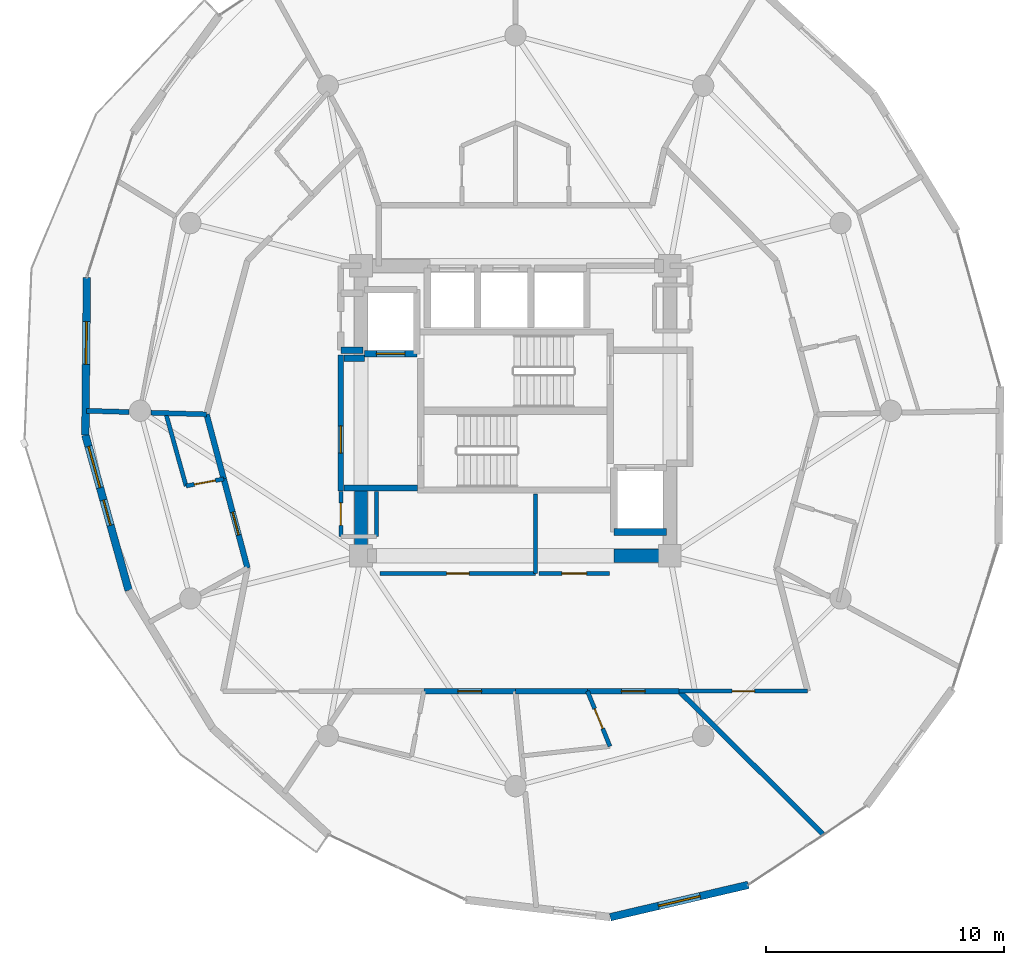
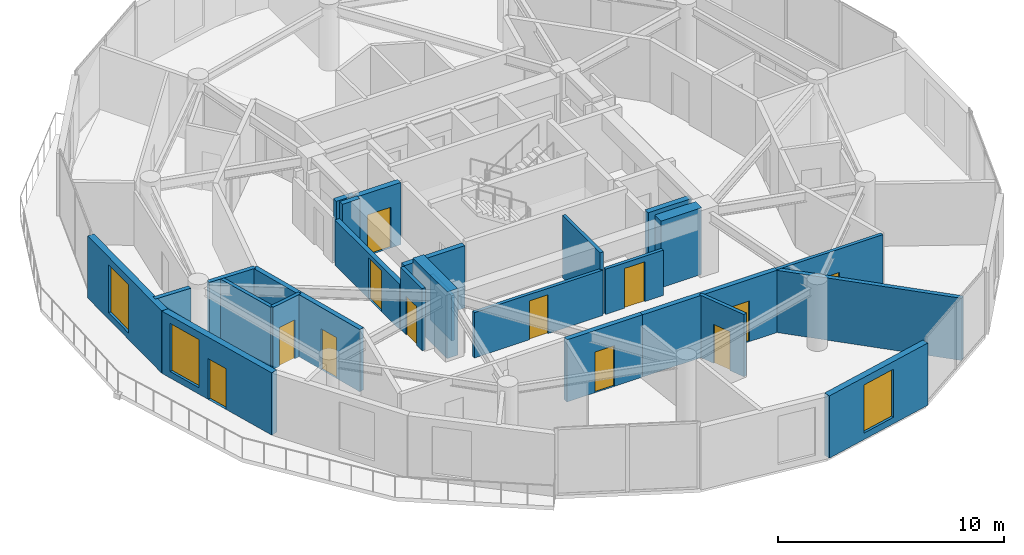
# One storey, part 15 of 20: 28 walls, 12 doors, 3 windows, 15 openings.
"""IFC4 building model written with IfcOpenShell, lengths in metres."""

from ifc_helpers import new_model, si_unit, direction, frame, frame_2d, origin, place, context, subcontext, project, spatial, rectangle, extrude, material, layer, layer_set, type_object, element, fill, save


model = new_model("IFC4")

# Units and contexts
model_context = context("Model", 3, precision=1e-05, world=origin(), true_north=direction((0.0, 1.0)))
body_context = subcontext(model_context, "Body", "Model", "MODEL_VIEW")
ifc_project = project(units=[si_unit("LENGTHUNIT", "METRE"), si_unit("AREAUNIT", "SQUARE_METRE"), si_unit("VOLUMEUNIT", "CUBIC_METRE"), si_unit("PLANEANGLEUNIT", "RADIAN"), si_unit("MASSUNIT", "GRAM", prefix="KILO")], contexts=[model_context])

# Site, building, storey
site_placement = place(None, origin())
site = spatial("IfcSite", under=ifc_project, at=site_placement, CompositionType="ELEMENT")
building_placement = place(site_placement, origin())
building = spatial("IfcBuilding", under=site, at=building_placement, Name="Solvirekh Grand Hotel", CompositionType="ELEMENT")
storey_placement = place(building_placement, frame((0.0, 0.0, 209.199951171875)))
storey = spatial("IfcBuildingStorey", under=building, at=storey_placement, Name="L54", CompositionType="ELEMENT", Elevation=209.199951171875)

# Wall, opening, door
ifc_material_1 = material(Name="Concrete C40/50", Category="concrete")
ifc_layer_1 = layer(ifc_material_1, 0.280029296875)
ifc_layer_set_1 = layer_set([ifc_layer_1], Name="Concrete C40/50")
wall_type_1 = type_object("IfcWallType", Name="CoreShaftWall_RC280", PredefinedType="SOLIDWALL", material=ifc_layer_set_1)
wall_1_placement = place(storey_placement, frame((-6.35009765625, 2.39990234375, 0.0), z_axis=(0.0, 0.0, 1.0), x_axis=(1.0, 0.0, 0.0)))
wall_1 = element("IfcWall", 1, at=wall_1_placement, inside=storey, type_object=wall_type_1, Name="L54 FL-1 hoistway S wall", PredefinedType="SOLIDWALL", context=body_context, shape_type="SweptSolid", body=[
    extrude(rectangle(XDim=2.2001953125, YDim=0.280029296875, at=frame_2d((1.10009765625, 0.0))), origin(), (0.0, 0.0, 1.0), 3.360107421875),
])
opening_1_placement = place(wall_1_placement, frame((0.5, 0.0, 0.0)))
opening_1 = element("IfcOpeningElement", 2, at=opening_1_placement, cuts=wall_1, Name="Opening LD02", PredefinedType="OPENING", context=body_context, shape_type="SweptSolid", body=[
    extrude(rectangle(XDim=1.199951171875, YDim=2.199951171875, at=frame_2d((0.60009765625, 1.10009765625))), frame((0.0, 0.14990234375, 0.0), z_axis=(0.0, -1.0, 0.0), x_axis=(1.0, 0.0, 0.0)), (0.0, 0.0, 1.0), 0.300048828125),
])
ifc_material_2 = material(Name="Fire-Rated Steel Door Assembly", Category="steel")
door_type_1 = type_object("IfcDoorType", Name="Door_LiftFF_1200X2200", OperationType="SLIDING_TO_LEFT", PredefinedType="DOOR", material=ifc_material_2)
door_1_placement = place(opening_1_placement, origin())
door_1 = element("IfcDoor", 3, at=door_1_placement, inside=storey, type_object=door_type_1, Name="L54 FL-1 sliding lift landing door", OperationType="SLIDING_TO_LEFT", OverallHeight=2.199951171875, OverallWidth=1.199951171875, PredefinedType="DOOR", context=body_context, shape_type="SweptSolid", body=[
    extrude(rectangle(XDim=1.199951171875, YDim=2.199951171875, at=frame_2d((0.60009765625, 1.10009765625))), frame((0.0, 0.02490234375, 0.0), z_axis=(0.0, -1.0, 0.0), x_axis=(1.0, 0.0, 0.0)), (0.0, 0.0, 1.0), 0.050048828125),
])
fill(opening_1, door_1)

# Walls
wall_2_placement = place(storey_placement, frame((4.14990234375, -5.10009765625, 0.0), z_axis=(0.0, 0.0, 1.0), x_axis=(1.0, 0.0, 0.0)))
element("IfcWall", 4, at=wall_2_placement, inside=storey, type_object=wall_type_1, Name="L54 FL-2 hoistway S wall", PredefinedType="SOLIDWALL", context=body_context, shape_type="SweptSolid", body=[
    extrude(rectangle(XDim=2.2001953125, YDim=0.280029296875, at=frame_2d((1.10009765625, 0.0))), origin(), (0.0, 0.0, 1.0), 3.360107421875),
])
ifc_material_3 = material(Name="Concrete C50/60", Category="concrete")
ifc_layer_2 = layer(ifc_material_3, 0.550048828125)
ifc_layer_set_2 = layer_set([ifc_layer_2], Name="Concrete C50/60")
wall_type_2 = type_object("IfcWallType", Name="CoreWall_RC550", PredefinedType="SHEAR", material=ifc_layer_set_2)
wall_3_placement = place(storey_placement, frame((4.14990234375, -6.10009765625, 0.0), z_axis=(0.0, 0.0, 1.0), x_axis=(1.0, 0.0, 0.0)))
element("IfcWall", 5, at=wall_3_placement, inside=storey, type_object=wall_type_2, Name="L54 core corner shear wall SE-S", PredefinedType="SHEAR", context=body_context, shape_type="SweptSolid", body=[
    extrude(rectangle(XDim=2.0751953125, YDim=0.550048828125, at=frame_2d((1.03759765625, 0.0))), origin(), (0.0, 0.0, 1.0), 3.60009765625),
])
wall_4_placement = place(storey_placement, frame((-6.5, -6.375, 0.0), z_axis=(0.0, 0.0, 1.0), x_axis=(0.0, 1.0, 0.0)))
element("IfcWall", 6, at=wall_4_placement, inside=storey, type_object=wall_type_2, Name="L54 core corner shear wall WS-W", PredefinedType="SHEAR", context=body_context, shape_type="SweptSolid", body=[
    extrude(rectangle(XDim=3.02490234375, YDim=0.550048828125, at=frame_2d((1.512451171875, 0.0))), origin(), (0.0, 0.0, 1.0), 3.60009765625),
])

# Wall, opening, window
ifc_material_4 = material(Name="Precast concrete C45/55", Category="concrete")
ifc_layer_3 = layer(ifc_material_4, 0.320068359375)
ifc_layer_set_3 = layer_set([ifc_layer_3], Name="Precast concrete C45/55")
wall_type_3 = type_object("IfcWallType", Name="ExtLobbyWall_RC320", PredefinedType="SOLIDWALL", material=ifc_layer_set_3)
wall_5_placement = place(storey_placement, frame((-18.10205078125, -1.02197265625, 0.0), z_axis=(0.0, 0.0, 1.0), x_axis=(0.009637220267, 0.999953560914, 0.0)))
wall_5 = element("IfcWall", 7, at=wall_5_placement, inside=storey, type_object=wall_type_3, Name="L54 exterior structural wall chord 14", PredefinedType="SOLIDWALL", context=body_context, shape_type="SweptSolid", body=[
    extrude(rectangle(XDim=6.63720703125, YDim=0.320068359375, at=frame_2d((3.318603515625, 0.0))), origin(), (0.0, 0.0, 1.0), 3.360107421875),
])
opening_2_placement = place(wall_5_placement, frame((2.97998046875, 0.0, 0.35009765625)))
opening_2 = element("IfcOpeningElement", 8, at=opening_2_placement, cuts=wall_5, Name="Opening W02", PredefinedType="OPENING", context=body_context, shape_type="SweptSolid", body=[
    extrude(rectangle(XDim=1.800048828125, YDim=2.60009765625, at=frame_2d((0.89990234375, 1.300048828125))), frame((0.0, 0.169921875, 0.0), z_axis=(0.0, -1.0, 0.0), x_axis=(1.0, 0.0, 0.0)), (0.0, 0.0, 1.0), 0.340087890625),
])
ifc_material_5 = material(Name="Low-E Tinted Bronze Laminated Glass", Category="aluminium")
window_type = type_object("IfcWindowType", Name="Win_LobbyExt_1800X2600", PartitioningType="SINGLE_PANEL", PredefinedType="WINDOW", material=ifc_material_5)
window_1_placement = place(opening_2_placement, origin())
window_1 = element("IfcWindow", 9, at=window_1_placement, inside=storey, type_object=window_type, Name="L54 panoramic bronze-framed window 14", OverallHeight=2.60009765625, OverallWidth=1.800048828125, PartitioningType="SINGLE_PANEL", PredefinedType="WINDOW", context=body_context, shape_type="SweptSolid", body=[
    extrude(rectangle(XDim=1.800048828125, YDim=2.60009765625, at=frame_2d((0.89990234375, 1.300048828125))), frame((0.0, 0.030029296875, 0.0), z_axis=(0.0, -1.0, 0.0), x_axis=(1.0, 0.0, 0.0)), (0.0, 0.0, 1.0), 0.06005859375),
])
fill(opening_2, window_1)

# Wall, openings, door, window
wall_6_placement = place(storey_placement, frame((-16.281982421875, -7.55810546875, 0.0), z_axis=(0.0, 0.0, 1.0), x_axis=(-0.268256249254, 0.963347592895, 0.0)))
wall_6 = element("IfcWall", 10, at=wall_6_placement, inside=storey, type_object=wall_type_3, Name="L54 exterior structural wall chord 15", PredefinedType="SOLIDWALL", context=body_context, shape_type="SweptSolid", body=[
    extrude(rectangle(XDim=6.784912109375, YDim=0.320068359375, at=frame_2d((3.392578125, 0.0))), origin(), (0.0, 0.0, 1.0), 3.360107421875),
])
opening_3_placement = place(wall_6_placement, frame((4.488037109375, 0.0, 0.35009765625)))
opening_3 = element("IfcOpeningElement", 11, at=opening_3_placement, cuts=wall_6, Name="Opening W02", PredefinedType="OPENING", context=body_context, shape_type="SweptSolid", body=[
    extrude(rectangle(XDim=1.800048828125, YDim=2.60009765625, at=frame_2d((0.89990234375, 1.300048828125))), frame((0.0, 0.169921875, 0.0), z_axis=(0.0, -1.0, 0.0), x_axis=(1.0, 0.0, 0.0)), (0.0, 0.0, 1.0), 0.340087890625),
])
opening_4_placement = place(wall_6_placement, frame((2.842041015625, 0.0, 0.0)))
opening_4 = element("IfcOpeningElement", 12, at=opening_4_placement, cuts=wall_6, Name="Opening D03", PredefinedType="OPENING", context=body_context, shape_type="SweptSolid", body=[
    extrude(rectangle(XDim=1.10009765625, YDim=2.199951171875, at=frame_2d((0.550048828125, 1.10009765625))), frame((0.0, 0.169921875, 0.0), z_axis=(0.0, -1.0, 0.0), x_axis=(1.0, 0.0, 0.0)), (0.0, 0.0, 1.0), 0.340087890625),
])
ifc_material_6 = material(Name="Anodized Bronze Aluminium 6063-T6", Category="aluminium")
door_type_2 = type_object("IfcDoorType", Name="Door_ExtBalcony_1100X2200", OperationType="NOTDEFINED", PredefinedType="DOOR", material=ifc_material_6)
door_2_placement = place(opening_4_placement, origin())
door_2 = element("IfcDoor", 13, at=door_2_placement, inside=storey, type_object=door_type_2, Name="L54 Crescent balcony glazed door (15)", OperationType="SINGLE_SWING_RIGHT", OverallHeight=2.199951171875, OverallWidth=1.10009765625, PredefinedType="DOOR", context=body_context, shape_type="SweptSolid", body=[
    extrude(rectangle(XDim=1.10009765625, YDim=2.199951171875, at=frame_2d((0.550048828125, 1.10009765625))), frame((0.0, 0.02490234375, 0.0), z_axis=(0.0, -1.0, 0.0), x_axis=(1.0, 0.0, 0.0)), (0.0, 0.0, 1.0), 0.050048828125),
])
fill(opening_4, door_2)
window_2_placement = place(opening_3_placement, origin())
window_2 = element("IfcWindow", 14, at=window_2_placement, inside=storey, type_object=window_type, Name="L54 exterior side window 15", OverallHeight=2.60009765625, OverallWidth=1.800048828125, PartitioningType="SINGLE_PANEL", PredefinedType="WINDOW", context=body_context, shape_type="SweptSolid", body=[
    extrude(rectangle(XDim=1.800048828125, YDim=2.60009765625, at=frame_2d((0.89990234375, 1.300048828125))), frame((0.0, 0.030029296875, 0.0), z_axis=(0.0, -1.0, 0.0), x_axis=(1.0, 0.0, 0.0)), (0.0, 0.0, 1.0), 0.06005859375),
])
fill(opening_3, window_2)

# Wall, opening, window
wall_7_placement = place(storey_placement, frame((9.802001953125, -19.955078125, 0.0), z_axis=(0.0, 0.0, 1.0), x_axis=(-0.97372216523, -0.227739203785, 0.0)))
wall_7 = element("IfcWall", 15, at=wall_7_placement, inside=storey, type_object=wall_type_3, Name="L54 exterior structural wall chord 20", PredefinedType="SOLIDWALL", context=body_context, shape_type="SweptSolid", body=[
    extrude(rectangle(XDim=5.966796875, YDim=0.320068359375, at=frame_2d((2.9833984375, 0.0))), origin(), (0.0, 0.0, 1.0), 3.360107421875),
])
opening_5_placement = place(wall_7_placement, frame((2.0830078125, 0.0, 0.35009765625)))
opening_5 = element("IfcOpeningElement", 16, at=opening_5_placement, cuts=wall_7, Name="Opening W02", PredefinedType="OPENING", context=body_context, shape_type="SweptSolid", body=[
    extrude(rectangle(XDim=1.800048828125, YDim=2.60009765625, at=frame_2d((0.89990234375, 1.300048828125))), frame((0.0, 0.169921875, 0.0), z_axis=(0.0, -1.0, 0.0), x_axis=(1.0, 0.0, 0.0)), (0.0, 0.0, 1.0), 0.340087890625),
])
window_3_placement = place(opening_5_placement, origin())
window_3 = element("IfcWindow", 17, at=window_3_placement, inside=storey, type_object=window_type, Name="L54 panoramic bronze-framed window 20", OverallHeight=2.60009765625, OverallWidth=1.800048828125, PartitioningType="SINGLE_PANEL", PredefinedType="WINDOW", context=body_context, shape_type="SweptSolid", body=[
    extrude(rectangle(XDim=1.800048828125, YDim=2.60009765625, at=frame_2d((0.89990234375, 1.300048828125))), frame((0.0, 0.030029296875, 0.0), z_axis=(0.0, -1.0, 0.0), x_axis=(1.0, 0.0, 0.0)), (0.0, 0.0, 1.0), 0.06005859375),
])
fill(opening_5, window_3)

# Wall
ifc_material_7 = material(Name="Acoustic Gypsum Partition Assembly")
ifc_layer_4 = layer(ifc_material_7, 0.1650390625)
ifc_layer_set_4 = layer_set([ifc_layer_4], Name="Acoustic Gypsum Partition Assembly")
wall_type_4 = type_object("IfcWallType", Name="Part_BOH_165", PredefinedType="PARTITIONING", material=ifc_layer_set_4)
wall_8_placement = place(storey_placement, frame((-5.85009765625, -5.300048828125, 0.0), z_axis=(0.0, 0.0, 1.0), x_axis=(0.0, 1.0, 0.0)))
element("IfcWall", 18, at=wall_8_placement, inside=storey, type_object=wall_type_4, Name="L54 L54 Butler Service Closet wall 2", PredefinedType="PARTITIONING", context=body_context, shape_type="SweptSolid", body=[
    extrude(rectangle(XDim=1.900146484375, YDim=0.1650390625, at=frame_2d((0.9501953125, 0.0))), origin(), (0.0, 0.0, 1.0), 2.445068359375),
])

# Wall, opening, door
wall_9_placement = place(storey_placement, frame((-7.35009765625, -3.39990234375, 0.0), z_axis=(0.0, 0.0, 1.0), x_axis=(0.0, -1.0, 0.0)))
wall_9 = element("IfcWall", 19, at=wall_9_placement, inside=storey, type_object=wall_type_4, Name="L54 L54 Butler Service Closet wall 4", PredefinedType="PARTITIONING", context=body_context, shape_type="SweptSolid", body=[
    extrude(rectangle(XDim=1.900146484375, YDim=0.1650390625, at=frame_2d((0.9501953125, 0.0))), origin(), (0.0, 0.0, 1.0), 3.360107421875),
])
opening_6_placement = place(wall_9_placement, frame((0.47509765625, 0.0, 0.0)))
opening_6 = element("IfcOpeningElement", 20, at=opening_6_placement, cuts=wall_9, Name="Opening D10", PredefinedType="OPENING", context=body_context, shape_type="SweptSolid", body=[
    extrude(rectangle(XDim=0.949951171875, YDim=2.10009765625, at=frame_2d((0.47509765625, 1.050048828125))), frame((0.0, 0.092529296875, 0.0), z_axis=(0.0, -1.0, 0.0), x_axis=(1.0, 0.0, 0.0)), (0.0, 0.0, 1.0), 0.18505859375),
])
door_type_3 = type_object("IfcDoorType", Name="Door_RoomInt_950X2100", OperationType="NOTDEFINED", PredefinedType="DOOR", material=ifc_material_6)
door_3_placement = place(opening_6_placement, origin())
door_3 = element("IfcDoor", 21, at=door_3_placement, inside=storey, type_object=door_type_3, Name="L54 L54 Butler Service Closet door", OperationType="SINGLE_SWING_RIGHT", OverallHeight=2.10009765625, OverallWidth=0.949951171875, PredefinedType="DOOR", context=body_context, shape_type="SweptSolid", body=[
    extrude(rectangle(XDim=0.949951171875, YDim=2.10009765625, at=frame_2d((0.47509765625, 1.050048828125))), frame((0.0, 0.02490234375, 0.0), z_axis=(0.0, -1.0, 0.0), x_axis=(1.0, 0.0, 0.0)), (0.0, 0.0, 1.0), 0.050048828125),
])
fill(opening_6, door_3)

wall_10_placement = place(storey_placement, frame((-5.699951171875, -6.85009765625, 0.0), z_axis=(0.0, 0.0, 1.0), x_axis=(1.0, 0.0, 0.0)))
wall_10 = element("IfcWall", 22, at=wall_10_placement, inside=storey, type_object=wall_type_4, Name="L54 Housekeeping Linen Room wall 1", PredefinedType="PARTITIONING", context=body_context, shape_type="SweptSolid", body=[
    extrude(rectangle(XDim=6.550048828125, YDim=0.1650390625, at=frame_2d((3.27490234375, 0.0))), origin(), (0.0, 0.0, 1.0), 2.445068359375),
])
opening_7_placement = place(wall_10_placement, frame((2.800048828125, 0.0, 0.0)))
opening_7 = element("IfcOpeningElement", 23, at=opening_7_placement, cuts=wall_10, Name="Opening D10", PredefinedType="OPENING", context=body_context, shape_type="SweptSolid", body=[
    extrude(rectangle(XDim=0.949951171875, YDim=2.10009765625, at=frame_2d((0.47509765625, 1.050048828125))), frame((0.0, 0.092529296875, 0.0), z_axis=(0.0, -1.0, 0.0), x_axis=(1.0, 0.0, 0.0)), (0.0, 0.0, 1.0), 0.18505859375),
])
door_4_placement = place(opening_7_placement, origin())
door_4 = element("IfcDoor", 24, at=door_4_placement, inside=storey, type_object=door_type_3, Name="L54 Housekeeping Linen Room door", OperationType="SINGLE_SWING_RIGHT", OverallHeight=2.10009765625, OverallWidth=0.949951171875, PredefinedType="DOOR", context=body_context, shape_type="SweptSolid", body=[
    extrude(rectangle(XDim=0.949951171875, YDim=2.10009765625, at=frame_2d((0.47509765625, 1.050048828125))), frame((0.0, 0.02490234375, 0.0), z_axis=(0.0, -1.0, 0.0), x_axis=(1.0, 0.0, 0.0)), (0.0, 0.0, 1.0), 0.050048828125),
])
fill(opening_7, door_4)

# Wall
wall_11_placement = place(storey_placement, frame((0.85009765625, -6.85009765625, 0.0), z_axis=(0.0, 0.0, 1.0), x_axis=(0.0, 1.0, 0.0)))
element("IfcWall", 25, at=wall_11_placement, inside=storey, type_object=wall_type_4, Name="L54 Housekeeping Linen Room wall 2", PredefinedType="PARTITIONING", context=body_context, shape_type="SweptSolid", body=[
    extrude(rectangle(XDim=3.35009765625, YDim=0.1650390625, at=frame_2d((1.675048828125, 0.0))), origin(), (0.0, 0.0, 1.0), 3.360107421875),
])

# Wall, opening, door
wall_12_placement = place(storey_placement, frame((1.0, -6.85009765625, 0.0), z_axis=(0.0, 0.0, 1.0), x_axis=(1.0, 0.0, 0.0)))
wall_12 = element("IfcWall", 26, at=wall_12_placement, inside=storey, type_object=wall_type_4, Name="L54 Chilled Water Manifold Room wall 1", PredefinedType="PARTITIONING", context=body_context, shape_type="SweptSolid", body=[
    extrude(rectangle(XDim=2.949951171875, YDim=0.1650390625, at=frame_2d((1.47509765625, 0.0))), origin(), (0.0, 0.0, 1.0), 2.445068359375),
])
opening_8_placement = place(wall_12_placement, frame((0.949951171875, 0.0, 0.0)))
opening_8 = element("IfcOpeningElement", 27, at=opening_8_placement, cuts=wall_12, Name="Opening D12", PredefinedType="OPENING", context=body_context, shape_type="SweptSolid", body=[
    extrude(rectangle(XDim=1.050048828125, YDim=2.14990234375, at=frame_2d((0.52490234375, 1.074951171875))), frame((0.0, 0.092529296875, 0.0), z_axis=(0.0, -1.0, 0.0), x_axis=(1.0, 0.0, 0.0)), (0.0, 0.0, 1.0), 0.18505859375),
])
door_type_4 = type_object("IfcDoorType", Name="Door_PlantBOH_1050X2150", OperationType="NOTDEFINED", PredefinedType="DOOR", material=ifc_material_2)
door_5_placement = place(opening_8_placement, origin())
door_5 = element("IfcDoor", 28, at=door_5_placement, inside=storey, type_object=door_type_4, Name="L54 Chilled Water Manifold Room door", OperationType="SINGLE_SWING_LEFT", OverallHeight=2.14990234375, OverallWidth=1.050048828125, PredefinedType="DOOR", context=body_context, shape_type="SweptSolid", body=[
    extrude(rectangle(XDim=1.050048828125, YDim=2.14990234375, at=frame_2d((0.52490234375, 1.074951171875))), frame((0.0, 0.02490234375, 0.0), z_axis=(0.0, -1.0, 0.0), x_axis=(1.0, 0.0, 0.0)), (0.0, 0.0, 1.0), 0.050048828125),
])
fill(opening_8, door_5)

wall_13_placement = place(storey_placement, frame((6.887939453125, -11.800048828125, 0.0), z_axis=(0.0, 0.0, 1.0), x_axis=(1.0, 0.0, 0.0)))
wall_13 = element("IfcWall", 29, at=wall_13_placement, inside=storey, type_object=wall_type_4, Name="L54 L54 Butler Valet & Linen Steward Room entrance wall", PredefinedType="PARTITIONING", context=body_context, shape_type="SweptSolid", body=[
    extrude(rectangle(XDim=5.412109375, YDim=0.1650390625, at=frame_2d((2.7060546875, 0.0))), origin(), (0.0, 0.0, 1.0), 3.360107421875),
])
opening_9_placement = place(wall_13_placement, frame((2.23095703125, 0.0, 0.0)))
opening_9 = element("IfcOpeningElement", 30, at=opening_9_placement, cuts=wall_13, Name="Opening D10", PredefinedType="OPENING", context=body_context, shape_type="SweptSolid", body=[
    extrude(rectangle(XDim=0.949951171875, YDim=2.10009765625, at=frame_2d((0.47509765625, 1.050048828125))), frame((0.0, 0.092529296875, 0.0), z_axis=(0.0, -1.0, 0.0), x_axis=(1.0, 0.0, 0.0)), (0.0, 0.0, 1.0), 0.18505859375),
])
door_6_placement = place(opening_9_placement, origin())
door_6 = element("IfcDoor", 31, at=door_6_placement, inside=storey, type_object=door_type_3, Name="L54 L54 Butler Valet & Linen Steward Room entrance door", OperationType="SINGLE_SWING_LEFT", OverallHeight=2.10009765625, OverallWidth=0.949951171875, PredefinedType="DOOR", context=body_context, shape_type="SweptSolid", body=[
    extrude(rectangle(XDim=0.949951171875, YDim=2.10009765625, at=frame_2d((0.47509765625, 1.050048828125))), frame((0.0, 0.02490234375, 0.0), z_axis=(0.0, -1.0, 0.0), x_axis=(1.0, 0.0, 0.0)), (0.0, 0.0, 1.0), 0.050048828125),
])
fill(opening_9, door_6)

ifc_layer_5 = layer(ifc_material_7, 0.239990234375)
ifc_layer_set_5 = layer_set([ifc_layer_5], Name="Acoustic Gypsum Partition Assembly")
wall_type_5 = type_object("IfcWallType", Name="Part_Corridor_240", PredefinedType="PARTITIONING", material=ifc_layer_set_5)
wall_14_placement = place(storey_placement, frame((-7.35009765625, -3.3798828125, 0.0), z_axis=(0.0, 0.0, 1.0), x_axis=(0.0, 1.0, 0.0)))
wall_14 = element("IfcWall", 32, at=wall_14_placement, inside=storey, type_object=wall_type_5, Name="L54 west firefighting lobby smoke screen wall", PredefinedType="PARTITIONING", context=body_context, shape_type="SweptSolid", body=[
    extrude(rectangle(XDim=5.719970703125, YDim=0.239990234375, at=frame_2d((2.85986328125, 0.0))), origin(), (0.0, 0.0, 1.0), 2.445068359375),
])
opening_10_placement = place(wall_14_placement, frame((1.59912109375, 0.0, 0.0)))
opening_10 = element("IfcOpeningElement", 33, at=opening_10_placement, cuts=wall_14, Name="Opening D06", PredefinedType="OPENING", context=body_context, shape_type="SweptSolid", body=[
    extrude(rectangle(XDim=1.14990234375, YDim=2.199951171875, at=frame_2d((0.574951171875, 1.10009765625))), frame((0.0, 0.1298828125, 0.0), z_axis=(0.0, -1.0, 0.0), x_axis=(1.0, 0.0, 0.0)), (0.0, 0.0, 1.0), 0.260009765625),
])
door_type_5 = type_object("IfcDoorType", Name="Door_FFLobby_1150X2200", OperationType="NOTDEFINED", PredefinedType="DOOR", material=ifc_material_2)
door_7_placement = place(opening_10_placement, origin())
door_7 = element("IfcDoor", 34, at=door_7_placement, inside=storey, type_object=door_type_5, Name="L54 west firefighting lobby smoke door", OperationType="SINGLE_SWING_LEFT", OverallHeight=2.199951171875, OverallWidth=1.14990234375, PredefinedType="DOOR", context=body_context, shape_type="SweptSolid", body=[
    extrude(rectangle(XDim=1.14990234375, YDim=2.199951171875, at=frame_2d((0.574951171875, 1.10009765625))), frame((0.0, 0.02490234375, 0.0), z_axis=(0.0, -1.0, 0.0), x_axis=(1.0, 0.0, 0.0)), (0.0, 0.0, 1.0), 0.050048828125),
])
fill(opening_10, door_7)

# Wall
wall_15_placement = place(storey_placement, frame((-13.0, -0.14990234375, 0.0), z_axis=(0.0, 0.0, 1.0), x_axis=(0.256944245483, -0.966426228283, 0.0)))
element("IfcWall", 35, at=wall_15_placement, inside=storey, type_object=wall_type_5, Name="L54 En-suite Bathroom 5604 corridor backing wall", PredefinedType="PARTITIONING", context=body_context, shape_type="SweptSolid", body=[
    extrude(rectangle(XDim=2.8134765625, YDim=0.239990234375, at=frame_2d((1.40673828125, 0.0))), origin(), (0.0, 0.0, 1.0), 3.360107421875),
])

# Wall, opening, door
wall_16_placement = place(storey_placement, frame((-12.277099609375, -2.868896484375, 0.0), z_axis=(0.0, 0.0, 1.0), x_axis=(0.257037057674, -0.966401547486, 0.0)))
wall_16 = element("IfcWall", 36, at=wall_16_placement, inside=storey, type_object=wall_type_5, Name="L54 Deluxe Guestroom 5604 entrance wall", PredefinedType="PARTITIONING", context=body_context, shape_type="SweptSolid", body=[
    extrude(rectangle(XDim=3.88671875, YDim=0.239990234375, at=frame_2d((1.943359375, 0.0))), origin(), (0.0, 0.0, 1.0), 3.360107421875),
])
opening_11_placement = place(wall_16_placement, frame((1.443115234375, 0.0, 0.0)))
opening_11 = element("IfcOpeningElement", 37, at=opening_11_placement, cuts=wall_16, Name="Opening D07", PredefinedType="OPENING", context=body_context, shape_type="SweptSolid", body=[
    extrude(rectangle(XDim=1.0, YDim=2.199951171875, at=frame_2d((0.5, 1.10009765625))), frame((0.0, 0.1298828125, 0.0), z_axis=(0.0, -1.0, 0.0), x_axis=(1.0, 0.0, 0.0)), (0.0, 0.0, 1.0), 0.260009765625),
])
door_type_6 = type_object("IfcDoorType", Name="Door_GuestEntry_1000X2200", OperationType="NOTDEFINED", PredefinedType="DOOR", material=ifc_material_2)
door_8_placement = place(opening_11_placement, origin())
door_8 = element("IfcDoor", 38, at=door_8_placement, inside=storey, type_object=door_type_6, Name="L54 Deluxe Guestroom 5604 entrance door", OperationType="SINGLE_SWING_LEFT", OverallHeight=2.199951171875, OverallWidth=1.0, PredefinedType="DOOR", context=body_context, shape_type="SweptSolid", body=[
    extrude(rectangle(XDim=1.0, YDim=2.199951171875, at=frame_2d((0.5, 1.10009765625))), frame((0.0, 0.02490234375, 0.0), z_axis=(0.0, -1.0, 0.0), x_axis=(1.0, 0.0, 0.0)), (0.0, 0.0, 1.0), 0.050048828125),
])
fill(opening_11, door_8)

wall_17_placement = place(storey_placement, frame((-3.85693359375, -11.800048828125, 0.0), z_axis=(0.0, 0.0, 1.0), x_axis=(1.0, 0.0, 0.0)))
wall_17 = element("IfcWall", 39, at=wall_17_placement, inside=storey, type_object=wall_type_5, Name="L54 Deluxe Guestroom 5607 entrance wall", PredefinedType="PARTITIONING", context=body_context, shape_type="SweptSolid", body=[
    extrude(rectangle(XDim=3.85693359375, YDim=0.239990234375, at=frame_2d((1.928466796875, 0.0))), origin(), (0.0, 0.0, 1.0), 3.360107421875),
])
opening_12_placement = place(wall_17_placement, frame((1.428955078125, 0.0, 0.0)))
opening_12 = element("IfcOpeningElement", 40, at=opening_12_placement, cuts=wall_17, Name="Opening D07", PredefinedType="OPENING", context=body_context, shape_type="SweptSolid", body=[
    extrude(rectangle(XDim=1.0, YDim=2.199951171875, at=frame_2d((0.5, 1.10009765625))), frame((0.0, 0.1298828125, 0.0), z_axis=(0.0, -1.0, 0.0), x_axis=(1.0, 0.0, 0.0)), (0.0, 0.0, 1.0), 0.260009765625),
])
door_9_placement = place(opening_12_placement, origin())
door_9 = element("IfcDoor", 41, at=door_9_placement, inside=storey, type_object=door_type_6, Name="L54 Deluxe Guestroom 5607 entrance door", OperationType="SINGLE_SWING_RIGHT", OverallHeight=2.199951171875, OverallWidth=1.0, PredefinedType="DOOR", context=body_context, shape_type="SweptSolid", body=[
    extrude(rectangle(XDim=1.0, YDim=2.199951171875, at=frame_2d((0.5, 1.10009765625))), frame((0.0, 0.02490234375, 0.0), z_axis=(0.0, -1.0, 0.0), x_axis=(1.0, 0.0, 0.0)), (0.0, 0.0, 1.0), 0.050048828125),
])
fill(opening_12, door_9)

# Wall
wall_18_placement = place(storey_placement, frame((0.0, -11.800048828125, 0.0), z_axis=(0.0, 0.0, 1.0), x_axis=(1.0, 0.0, 0.0)))
element("IfcWall", 42, at=wall_18_placement, inside=storey, type_object=wall_type_5, Name="L54 En-suite Bathroom 5608 corridor backing wall", PredefinedType="PARTITIONING", context=body_context, shape_type="SweptSolid", body=[
    extrude(rectangle(XDim=3.031005859375, YDim=0.239990234375, at=frame_2d((1.515625, 0.0))), origin(), (0.0, 0.0, 1.0), 3.360107421875),
])

# Wall, opening, door
wall_19_placement = place(storey_placement, frame((3.031005859375, -11.800048828125, 0.0), z_axis=(0.0, 0.0, 1.0), x_axis=(1.0, 0.0, 0.0)))
wall_19 = element("IfcWall", 43, at=wall_19_placement, inside=storey, type_object=wall_type_5, Name="L54 Deluxe Guestroom 5608 entrance wall", PredefinedType="PARTITIONING", context=body_context, shape_type="SweptSolid", body=[
    extrude(rectangle(XDim=3.85693359375, YDim=0.239990234375, at=frame_2d((1.928466796875, 0.0))), origin(), (0.0, 0.0, 1.0), 3.360107421875),
])
opening_13_placement = place(wall_19_placement, frame((1.427978515625, 0.0, 0.0)))
opening_13 = element("IfcOpeningElement", 44, at=opening_13_placement, cuts=wall_19, Name="Opening D07", PredefinedType="OPENING", context=body_context, shape_type="SweptSolid", body=[
    extrude(rectangle(XDim=1.0, YDim=2.199951171875, at=frame_2d((0.5, 1.10009765625))), frame((0.0, 0.1298828125, 0.0), z_axis=(0.0, -1.0, 0.0), x_axis=(1.0, 0.0, 0.0)), (0.0, 0.0, 1.0), 0.260009765625),
])
door_10_placement = place(opening_13_placement, origin())
door_10 = element("IfcDoor", 45, at=door_10_placement, inside=storey, type_object=door_type_6, Name="L54 Deluxe Guestroom 5608 entrance door", OperationType="SINGLE_SWING_RIGHT", OverallHeight=2.199951171875, OverallWidth=1.0, PredefinedType="DOOR", context=body_context, shape_type="SweptSolid", body=[
    extrude(rectangle(XDim=1.0, YDim=2.199951171875, at=frame_2d((0.5, 1.10009765625))), frame((0.0, 0.02490234375, 0.0), z_axis=(0.0, -1.0, 0.0), x_axis=(1.0, 0.0, 0.0)), (0.0, 0.0, 1.0), 0.050048828125),
])
fill(opening_13, door_10)

# Walls
ifc_layer_6 = layer(ifc_material_7, 0.260009765625)
ifc_layer_set_6 = layer_set([ifc_layer_6], Name="Acoustic Gypsum Partition Assembly")
wall_type_6 = type_object("IfcWallType", Name="Part_LobbyFF_260", PredefinedType="PARTITIONING", material=ifc_layer_set_6)
wall_20_placement = place(storey_placement, frame((-7.22509765625, -3.25, 0.0), z_axis=(0.0, 0.0, 1.0), x_axis=(1.0, 0.0, 0.0)))
element("IfcWall", 46, at=wall_20_placement, inside=storey, type_object=wall_type_6, Name="L54 west firefighting lobby south partition", PredefinedType="PARTITIONING", context=body_context, shape_type="SweptSolid", body=[
    extrude(rectangle(XDim=3.09521484375, YDim=0.260009765625, at=frame_2d((1.547607421875, 0.0))), origin(), (0.0, 0.0, 1.0), 3.360107421875),
])
wall_21_placement = place(storey_placement, frame((-7.22509765625, 2.2099609375, 0.0), z_axis=(0.0, 0.0, 1.0), x_axis=(1.0, 0.0, 0.0)))
element("IfcWall", 47, at=wall_21_placement, inside=storey, type_object=wall_type_6, Name="L54 west firefighting lobby NW cheek", PredefinedType="PARTITIONING", context=body_context, shape_type="SweptSolid", body=[
    extrude(rectangle(XDim=0.875, YDim=0.260009765625, at=frame_2d((0.4375, 0.0))), origin(), (0.0, 0.0, 1.0), 3.360107421875),
])
wall_22_placement = place(storey_placement, frame((-7.35009765625, 2.550048828125, 0.0), z_axis=(0.0, 0.0, 1.0), x_axis=(1.0, 0.0, 0.0)))
element("IfcWall", 48, at=wall_22_placement, inside=storey, type_object=wall_type_6, Name="L54 NW telecom metering cupboard south wall", PredefinedType="PARTITIONING", context=body_context, shape_type="SweptSolid", body=[
    extrude(rectangle(XDim=0.93017578125, YDim=0.260009765625, at=frame_2d((0.465087890625, 0.0))), origin(), (0.0, 0.0, 1.0), 3.360107421875),
])
ifc_layer_7 = layer(ifc_material_7, 0.2099609375)
ifc_layer_set_7 = layer_set([ifc_layer_7], Name="Acoustic Gypsum Partition Assembly")
wall_type_7 = type_object("IfcWallType", Name="Part_SuiteDemise_210", PredefinedType="PARTITIONING", material=ifc_layer_set_7)
wall_23_placement = place(storey_placement, frame((-13.0, -0.14990234375, 0.0), z_axis=(0.0, 0.0, 1.0), x_axis=(-0.999566309164, 0.029448150771, 0.0)))
element("IfcWall", 49, at=wall_23_placement, inside=storey, type_object=wall_type_7, Name="L54 suite radial wall 7 (A)", PredefinedType="PARTITIONING", context=body_context, shape_type="SweptSolid", body=[
    extrude(rectangle(XDim=2.337890625, YDim=0.2099609375, at=frame_2d((1.1689453125, 0.0))), origin(), (0.0, 0.0, 1.0), 3.360107421875),
])
wall_24_placement = place(storey_placement, frame((-16.26708984375, -0.052978515625, 0.0), z_axis=(0.0, 0.0, 1.0), x_axis=(-0.999559800985, 0.029668236467, 0.0)))
element("IfcWall", 50, at=wall_24_placement, inside=storey, type_object=wall_type_7, Name="L54 suite radial wall 7 (B)", PredefinedType="PARTITIONING", context=body_context, shape_type="SweptSolid", body=[
    extrude(rectangle(XDim=1.78564453125, YDim=0.2099609375, at=frame_2d((0.892822265625, 0.0))), origin(), (0.0, 0.0, 1.0), 3.360107421875),
])
wall_25_placement = place(storey_placement, frame((6.887939453125, -11.800048828125, 0.0), z_axis=(0.0, 0.0, 1.0), x_axis=(0.709506540997, -0.704698849355, 0.0)))
element("IfcWall", 51, at=wall_25_placement, inside=storey, type_object=wall_type_7, Name="L54 Deluxe Guestroom 5608 dividing partition 1", PredefinedType="PARTITIONING", context=body_context, shape_type="SweptSolid", body=[
    extrude(rectangle(XDim=8.53125, YDim=0.2099609375, at=frame_2d((4.265625, 0.0))), origin(), (0.0, 0.0, 1.0), 3.360107421875),
])
ifc_layer_8 = layer(ifc_material_7, 0.175048828125)
ifc_layer_set_8 = layer_set([ifc_layer_8], Name="Acoustic Gypsum Partition Assembly")
wall_type_8 = type_object("IfcWallType", Name="Plumb_Ensuite_175", PredefinedType="PLUMBINGWALL", material=ifc_layer_set_8)
wall_26_placement = place(storey_placement, frame((-14.718017578125, -0.09912109375, 0.0), z_axis=(0.0, 0.0, 1.0), x_axis=(0.268411547154, -0.963304334753, 0.0)))
element("IfcWall", 52, at=wall_26_placement, inside=storey, type_object=wall_type_8, Name="L54 En-suite Bathroom 5604 outer plumbing wall", PredefinedType="PLUMBINGWALL", context=body_context, shape_type="SweptSolid", body=[
    extrude(rectangle(XDim=3.181640625, YDim=0.175048828125, at=frame_2d((1.5908203125, 0.0))), origin(), (0.0, 0.0, 1.0), 3.360107421875),
])

# Wall, opening, door
wall_27_placement = place(storey_placement, frame((-12.277099609375, -2.868896484375, 0.0), z_axis=(0.0, 0.0, 1.0), x_axis=(-0.983138271288, -0.18286371846, 0.0)))
wall_27 = element("IfcWall", 53, at=wall_27_placement, inside=storey, type_object=wall_type_8, Name="L54 En-suite Bathroom 5604 entry plumbing wall", PredefinedType="PLUMBINGWALL", context=body_context, shape_type="SweptSolid", body=[
    extrude(rectangle(XDim=1.614013671875, YDim=0.175048828125, at=frame_2d((0.80712890625, 0.0))), origin(), (0.0, 0.0, 1.0), 3.360107421875),
])
opening_14_placement = place(wall_27_placement, frame((0.35693359375, 0.0, 0.0)))
opening_14 = element("IfcOpeningElement", 54, at=opening_14_placement, cuts=wall_27, Name="Opening D09", PredefinedType="OPENING", context=body_context, shape_type="SweptSolid", body=[
    extrude(rectangle(XDim=0.89990234375, YDim=2.10009765625, at=frame_2d((0.449951171875, 1.050048828125))), frame((0.0, 0.09765625, 0.0), z_axis=(0.0, -1.0, 0.0), x_axis=(1.0, 0.0, 0.0)), (0.0, 0.0, 1.0), 0.195068359375),
])
door_type_7 = type_object("IfcDoorType", Name="Door_Ensuite_900X2100", OperationType="NOTDEFINED", PredefinedType="DOOR", material=ifc_material_6)
door_11_placement = place(opening_14_placement, origin())
door_11 = element("IfcDoor", 55, at=door_11_placement, inside=storey, type_object=door_type_7, Name="L54 En-suite Bathroom 5604 door", OperationType="SINGLE_SWING_RIGHT", OverallHeight=2.10009765625, OverallWidth=0.89990234375, PredefinedType="DOOR", context=body_context, shape_type="SweptSolid", body=[
    extrude(rectangle(XDim=0.89990234375, YDim=2.10009765625, at=frame_2d((0.449951171875, 1.050048828125))), frame((0.0, 0.02490234375, 0.0), z_axis=(0.0, -1.0, 0.0), x_axis=(1.0, 0.0, 0.0)), (0.0, 0.0, 1.0), 0.050048828125),
])
fill(opening_14, door_11)

wall_28_placement = place(storey_placement, frame((3.031005859375, -11.800048828125, 0.0), z_axis=(0.0, 0.0, 1.0), x_axis=(0.377173211215, -0.9261427367, 0.0)))
wall_28 = element("IfcWall", 56, at=wall_28_placement, inside=storey, type_object=wall_type_8, Name="L54 En-suite Bathroom 5608 entry plumbing wall", PredefinedType="PLUMBINGWALL", context=body_context, shape_type="SweptSolid", body=[
    extrude(rectangle(XDim=2.50830078125, YDim=0.175048828125, at=frame_2d((1.254150390625, 0.0))), origin(), (0.0, 0.0, 1.0), 3.360107421875),
])
opening_15_placement = place(wall_28_placement, frame((0.803955078125, 0.0, 0.0)))
opening_15 = element("IfcOpeningElement", 57, at=opening_15_placement, cuts=wall_28, Name="Opening D09", PredefinedType="OPENING", context=body_context, shape_type="SweptSolid", body=[
    extrude(rectangle(XDim=0.89990234375, YDim=2.10009765625, at=frame_2d((0.449951171875, 1.050048828125))), frame((0.0, 0.09765625, 0.0), z_axis=(0.0, -1.0, 0.0), x_axis=(1.0, 0.0, 0.0)), (0.0, 0.0, 1.0), 0.195068359375),
])
door_12_placement = place(opening_15_placement, origin())
door_12 = element("IfcDoor", 58, at=door_12_placement, inside=storey, type_object=door_type_7, Name="L54 En-suite Bathroom 5608 door", OperationType="SINGLE_SWING_LEFT", OverallHeight=2.10009765625, OverallWidth=0.89990234375, PredefinedType="DOOR", context=body_context, shape_type="SweptSolid", body=[
    extrude(rectangle(XDim=0.89990234375, YDim=2.10009765625, at=frame_2d((0.449951171875, 1.050048828125))), frame((0.0, 0.02490234375, 0.0), z_axis=(0.0, -1.0, 0.0), x_axis=(1.0, 0.0, 0.0)), (0.0, 0.0, 1.0), 0.050048828125),
])
fill(opening_15, door_12)

save(model, "model.ifc")
